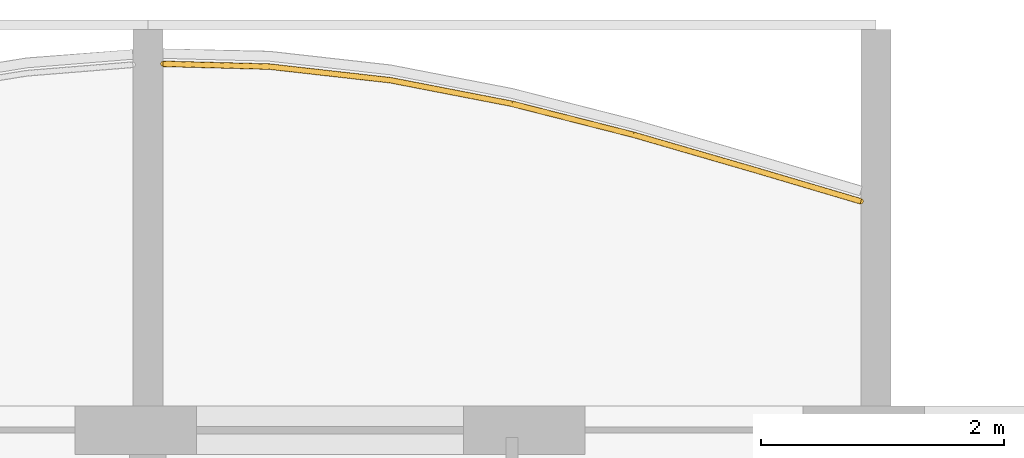
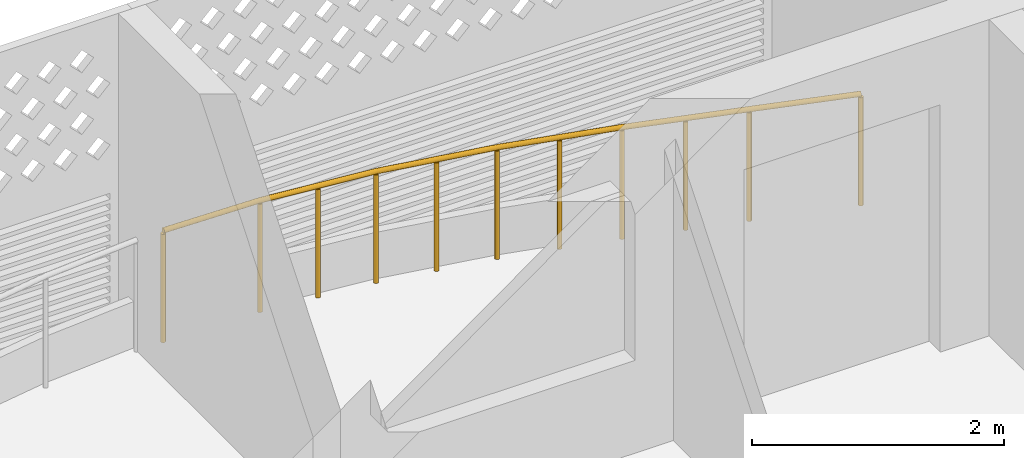
# One storey, part 23 of 32: 1 railing.
"""IFC4 building model written with IfcOpenShell, lengths in metres."""

from ifc_helpers import new_model, si_unit, direction, frame, origin, origin_2d, place, context, subcontext, project, spatial, circle, extrude, material, type_object, element, save


model = new_model("IFC4")

# Units and contexts
model_context = context("Model", 3, precision=1e-05, world=origin(), true_north=direction((0.0, 1.0)))
body_context = subcontext(model_context, "Body", "Model", "MODEL_VIEW")
ifc_project = project(units=[si_unit("LENGTHUNIT", "METRE"), si_unit("AREAUNIT", "SQUARE_METRE"), si_unit("VOLUMEUNIT", "CUBIC_METRE"), si_unit("PLANEANGLEUNIT", "RADIAN"), si_unit("MASSUNIT", "GRAM", prefix="KILO")], contexts=[model_context])

# Site, building, storey
site_placement = place(None, origin())
site = spatial("IfcSite", under=ifc_project, at=site_placement, CompositionType="ELEMENT")
building_placement = place(site_placement, origin())
building = spatial("IfcBuilding", under=site, at=building_placement, Name="Poui Terraces", CompositionType="ELEMENT")
storey_placement = place(building_placement, frame((0.0, 0.0, 129.0)))
storey = spatial("IfcBuildingStorey", under=building, at=storey_placement, Name="L35", CompositionType="ELEMENT", Elevation=129.0)

# Railing
ifc_material = material(Name="Painted steel fretwork", Category="steel")
railing_type = type_object("IfcRailingType", Name="BALCONY GUARD 1100", PredefinedType="GUARDRAIL", material=ifc_material)
railing_placement = place(storey_placement, frame((36.125, 45.418701171875, 0.0)))
element("IfcRailing", 1, at=railing_placement, inside=storey, type_object=railing_type, Name="BALCONY GUARD", PredefinedType="GUARDRAIL", context=body_context, shape_type="SweptSolid", body=[
    extrude(circle(Radius=0.02392578125, at=origin_2d()), frame((0.0, 0.0, 1.076171875), z_axis=(0.999663503425, -0.025939929079, 0.0), x_axis=(0.025939929079, 0.999663503425, 0.0)), (0.0, 0.0, 1.0), 0.875244140625),
    extrude(circle(Radius=0.02392578125, at=origin_2d()), frame((0.875, -0.022705078125, 1.076171875), z_axis=(0.993725924527, -0.111842688283, 0.0), x_axis=(0.111842688283, 0.993725924527, 0.0)), (0.0, 0.0, 1.0), 1.00634765625),
    extrude(circle(Radius=0.02392578125, at=origin_2d()), frame((1.875, -0.13525390625, 1.076171875), z_axis=(0.981724998512, -0.190305090044, 0.0), x_axis=(0.190305090044, 0.981724998512, 0.0)), (0.0, 0.0, 1.0), 1.0185546875),
    extrude(circle(Radius=0.02392578125, at=origin_2d()), frame((2.875, -0.3291015625, 1.076171875), z_axis=(0.969018976325, -0.246986282052, 0.0), x_axis=(0.246986282052, 0.969018976325, 0.0)), (0.0, 0.0, 1.0), 1.031982421875),
    extrude(circle(Radius=0.02392578125, at=origin_2d()), frame((3.875, -0.583984375, 1.076171875), z_axis=(0.960419102414, -0.278559056071, 0.0), x_axis=(0.278559056071, 0.960419102414, 0.0)), (0.0, 0.0, 1.0), 1.041259765625),
    extrude(circle(Radius=0.02392578125, at=origin_2d()), frame((4.875, -0.8740234375, 1.076171875), z_axis=(0.958865561228, -0.283860591647, 0.0), x_axis=(0.283860591647, 0.958865561228, 0.0)), (0.0, 0.0, 1.0), 0.91259765625),
    extrude(circle(Radius=0.02099609375, at=origin_2d()), origin(), (0.0, 0.0, 1.0), 1.052001953125),
    extrude(circle(Radius=0.02099609375, at=origin_2d()), frame((0.875, -0.022705078125, 0.0)), (0.0, 0.0, 1.0), 1.052001953125),
    extrude(circle(Radius=0.02099609375, at=origin_2d()), frame((1.375, -0.0791015625, 0.0)), (0.0, 0.0, 1.0), 1.052001953125),
    extrude(circle(Radius=0.02099609375, at=origin_2d()), frame((1.875, -0.13525390625, 0.0)), (0.0, 0.0, 1.0), 1.052001953125),
    extrude(circle(Radius=0.02099609375, at=origin_2d()), frame((2.375, -0.232177734375, 0.0)), (0.0, 0.0, 1.0), 1.052001953125),
    extrude(circle(Radius=0.02099609375, at=origin_2d()), frame((2.875, -0.3291015625, 0.0)), (0.0, 0.0, 1.0), 1.052001953125),
    extrude(circle(Radius=0.02099609375, at=origin_2d()), frame((3.375, -0.45654296875, 0.0)), (0.0, 0.0, 1.0), 1.052001953125),
    extrude(circle(Radius=0.02099609375, at=origin_2d()), frame((3.875, -0.583984375, 0.0)), (0.0, 0.0, 1.0), 1.052001953125),
    extrude(circle(Radius=0.02099609375, at=origin_2d()), frame((4.375, -0.72900390625, 0.0)), (0.0, 0.0, 1.0), 1.052001953125),
    extrude(circle(Radius=0.02099609375, at=origin_2d()), frame((4.875, -0.8740234375, 0.0)), (0.0, 0.0, 1.0), 1.052001953125),
    extrude(circle(Radius=0.02099609375, at=origin_2d()), frame((5.75, -1.133056640625, 0.0)), (0.0, 0.0, 1.0), 1.052001953125),
])

save(model, "model.ifc")
